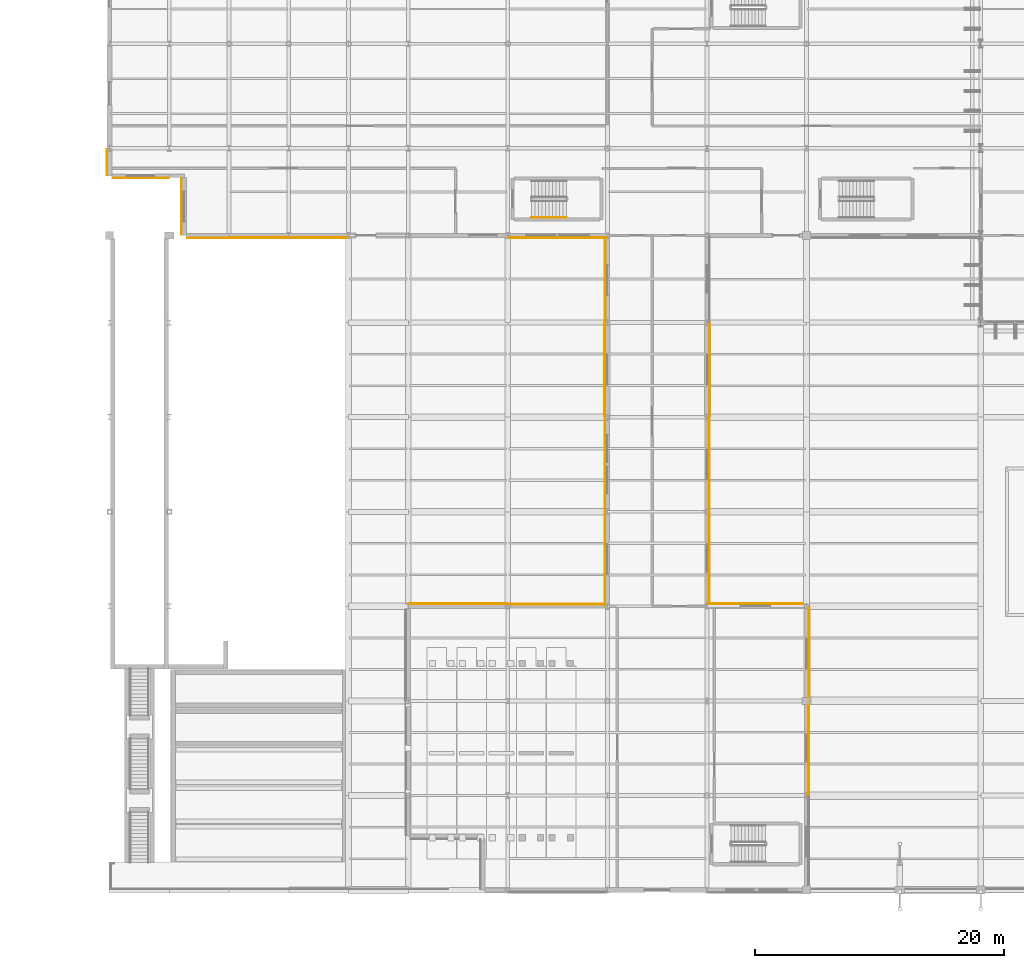
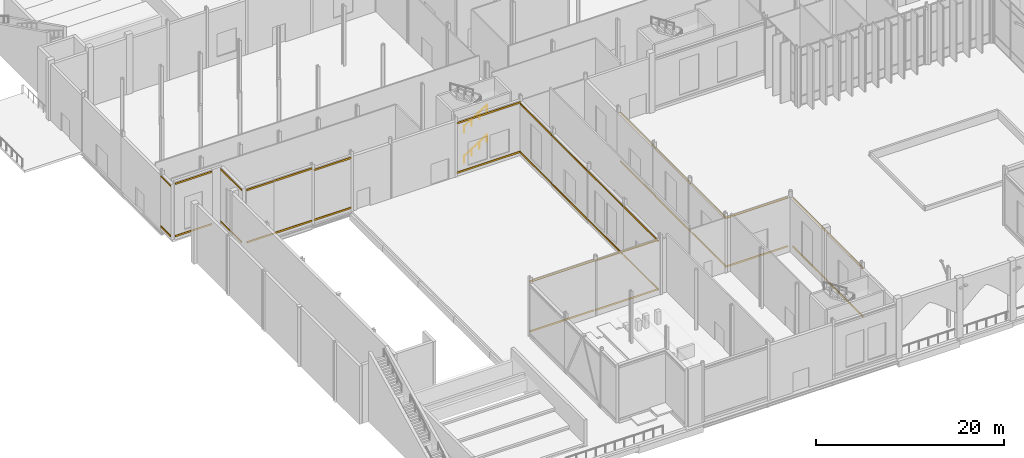
# One storey, part 155 of 176: 38 coverings, 2 railings.
"""IFC4 building model written with IfcOpenShell, lengths in metres."""

from ifc_helpers import new_model, si_unit, direction, frame, origin, origin_2d, place, context, subcontext, project, spatial, rectangle, circle, extrude, material, layer, layer_set, type_object, element, save


model = new_model("IFC4")

# Units and contexts
model_context = context("Model", 3, precision=1e-05, world=origin(), true_north=direction((0.0, 1.0)))
body_context = subcontext(model_context, "Body", "Model", "MODEL_VIEW")
ifc_project = project(units=[si_unit("LENGTHUNIT", "METRE"), si_unit("AREAUNIT", "SQUARE_METRE"), si_unit("VOLUMEUNIT", "CUBIC_METRE"), si_unit("PLANEANGLEUNIT", "RADIAN"), si_unit("MASSUNIT", "GRAM", prefix="KILO")], contexts=[model_context])

# Site, building, storey
site_placement = place(None, origin())
site = spatial("IfcSite", under=ifc_project, at=site_placement, CompositionType="ELEMENT")
building_placement = place(site_placement, origin())
building = spatial("IfcBuilding", under=site, at=building_placement, Name="Vekula Escarpment Museum", CompositionType="ELEMENT")
storey_placement = place(building_placement, origin())
storey = spatial("IfcBuildingStorey", under=building, at=storey_placement, Name="L01", CompositionType="ELEMENT", Elevation=0.0)

# Coverings
ifc_material_1 = material(Name="Polychrome limestone almasik string-course band", Category="masonry")
ifc_layer = layer(ifc_material_1, 0.06005859375)
ifc_layer_set = layer_set([ifc_layer], Name="Polychrome limestone almasik string-course band")
covering_type = type_object("IfcCoveringType", Name="COV-ALM-BAND", PredefinedType="CLADDING", material=ifc_layer_set)
for number, where, z_axis, x_axis, name in (
    (1, (-0.200927734375, 58.5, 0.41015625), (0.0, 0.0, 1.0), (0.0, 1.0, 0.0), "Almasik Stone String Course L01-0163"),
    (2, (-0.200927734375, 58.5, 6.94482421875), (0.0, 0.0, 1.0), (0.0, 1.0, 0.0), "Almasik Stone String Course L01-0164"),
):
    element("IfcCovering", number, at=place(storey_placement, frame(where, z_axis=z_axis, x_axis=x_axis)), inside=storey, type_object=covering_type, Name=name, PredefinedType="CLADDING", context=body_context, shape_type="SweptSolid", body=[
        extrude(rectangle(XDim=2.080078125, YDim=0.06005859375, at=origin_2d()), origin(), (0.0, 0.0, 1.0), 0.219970703125),
    ])
for number, where, z_axis, x_axis, name in (
    (3, (2.489501953125, 57.214111328125, 0.41015625), (0.0, 0.0, 1.0), (1.0, 0.0, 0.0), "Almasik Stone String Course L01-0165"),
    (4, (2.489501953125, 57.214111328125, 7.2099609375), (0.0, 0.0, 1.0), (1.0, 0.0, 0.0), "Almasik Stone String Course L01-0166"),
):
    element("IfcCovering", number, at=place(storey_placement, frame(where, z_axis=z_axis, x_axis=x_axis)), inside=storey, type_object=covering_type, Name=name, PredefinedType="CLADDING", context=body_context, shape_type="SweptSolid", body=[
        extrude(rectangle(XDim=4.5009765625, YDim=0.06005859375, at=origin_2d()), origin(), (0.0, 0.0, 1.0), 0.219970703125),
    ])
for number, where, z_axis, x_axis, name in (
    (5, (5.783935546875, 54.923095703125, 0.41015625), (0.0, 0.0, 1.0), (0.0, 1.0, 0.0), "Almasik Stone String Course L01-0167"),
    (6, (5.783935546875, 54.923095703125, 7.2099609375), (0.0, 0.0, 1.0), (0.0, 1.0, 0.0), "Almasik Stone String Course L01-0168"),
):
    element("IfcCovering", number, at=place(storey_placement, frame(where, z_axis=z_axis, x_axis=x_axis)), inside=storey, type_object=covering_type, Name=name, PredefinedType="CLADDING", context=body_context, shape_type="SweptSolid", body=[
        extrude(rectangle(XDim=4.52587890625, YDim=0.06005859375, at=origin_2d()), origin(), (0.0, 0.0, 1.0), 0.219970703125),
    ])
for number, where, z_axis, x_axis, name in (
    (7, (7.89697265625, 52.39892578125, 0.41015625), (0.0, 0.0, 1.0), (1.0, 0.0, 0.0), "Almasik Stone String Course L01-0169"),
    (8, (7.89697265625, 52.39892578125, 7.2099609375), (0.0, 0.0, 1.0), (1.0, 0.0, 0.0), "Almasik Stone String Course L01-0170"),
):
    element("IfcCovering", number, at=place(storey_placement, frame(where, z_axis=z_axis, x_axis=x_axis)), inside=storey, type_object=covering_type, Name=name, PredefinedType="CLADDING", context=body_context, shape_type="SweptSolid", body=[
        extrude(rectangle(XDim=3.285888671875, YDim=0.06005859375, at=origin_2d()), origin(), (0.0, 0.0, 1.0), 0.219970703125),
    ])
for number, where, z_axis, x_axis, name in (
    (9, (12.0, 52.4140625, 0.41015625), (0.0, 0.0, 1.0), (1.0, 0.0, 0.0), "Almasik Stone String Course L01-0171"),
    (10, (12.0, 52.4140625, 7.2099609375), (0.0, 0.0, 1.0), (1.0, 0.0, 0.0), "Almasik Stone String Course L01-0172"),
    (11, (16.800048828125, 52.424072265625, 0.41015625), (0.0, 0.0, 1.0), (1.0, 0.0, 0.0), "Almasik Stone String Course L01-0173"),
    (12, (16.800048828125, 52.424072265625, 6.89501953125), (0.0, 0.0, 1.0), (1.0, 0.0, 0.0), "Almasik Stone String Course L01-0174"),
):
    element("IfcCovering", number, at=place(storey_placement, frame(where, z_axis=z_axis, x_axis=x_axis)), inside=storey, type_object=covering_type, Name=name, PredefinedType="CLADDING", context=body_context, shape_type="SweptSolid", body=[
        extrude(rectangle(XDim=4.679931640625, YDim=0.06005859375, at=origin_2d()), origin(), (0.0, 0.0, 1.0), 0.219970703125),
    ])
for number, where, z_axis, x_axis, name in (
    (13, (36.0, 52.4140625, 0.41015625), (0.0, 0.0, 1.0), (1.0, 0.0, 0.0), "Almasik Stone String Course L01-0175"),
    (14, (36.0, 52.4140625, 6.8349609375), (0.0, 0.0, 1.0), (1.0, 0.0, 0.0), "Almasik Stone String Course L01-0176"),
):
    element("IfcCovering", number, at=place(storey_placement, frame(where, z_axis=z_axis, x_axis=x_axis)), inside=storey, type_object=covering_type, Name=name, PredefinedType="CLADDING", context=body_context, shape_type="SweptSolid", body=[
        extrude(rectangle(XDim=7.8798828125, YDim=0.06005859375, at=origin_2d()), origin(), (0.0, 0.0, 1.0), 0.219970703125),
    ])
for number, where, z_axis, x_axis, name in (
    (15, (39.823974609375, 49.01806640625, 0.41015625), (0.0, 0.0, 1.0), (0.0, 1.0, 0.0), "Almasik Stone String Course L01-0177"),
    (16, (39.823974609375, 49.01806640625, 6.69482421875), (0.0, 0.0, 1.0), (0.0, 1.0, 0.0), "Almasik Stone String Course L01-0178"),
):
    element("IfcCovering", number, at=place(storey_placement, frame(where, z_axis=z_axis, x_axis=x_axis)), inside=storey, type_object=covering_type, Name=name, PredefinedType="CLADDING", context=body_context, shape_type="SweptSolid", body=[
        extrude(rectangle(XDim=6.716064453125, YDim=0.06005859375, at=origin_2d()), origin(), (0.0, 0.0, 1.0), 0.219970703125),
    ])
for number, where, z_axis, x_axis, name in (
    (17, (39.783935546875, 41.800048828125, 0.41015625), (0.0, 0.0, 1.0), (0.0, 1.0, 0.0), "Almasik Stone String Course L01-0179"),
    (18, (39.783935546875, 41.800048828125, 6.69482421875), (0.0, 0.0, 1.0), (0.0, 1.0, 0.0), "Almasik Stone String Course L01-0180"),
    (19, (39.799072265625, 34.199951171875, 0.41015625), (0.0, 0.0, 1.0), (0.0, 1.0, 0.0), "Almasik Stone String Course L01-0181"),
    (20, (39.799072265625, 34.199951171875, 6.69482421875), (0.0, 0.0, 1.0), (0.0, 1.0, 0.0), "Almasik Stone String Course L01-0182"),
    (21, (39.81396484375, 26.60009765625, 0.41015625), (0.0, 0.0, 1.0), (0.0, 1.0, 0.0), "Almasik Stone String Course L01-0183"),
    (22, (39.81396484375, 26.60009765625, 6.69482421875), (0.0, 0.0, 1.0), (0.0, 1.0, 0.0), "Almasik Stone String Course L01-0184"),
):
    element("IfcCovering", number, at=place(storey_placement, frame(where, z_axis=z_axis, x_axis=x_axis)), inside=storey, type_object=covering_type, Name=name, PredefinedType="CLADDING", context=body_context, shape_type="SweptSolid", body=[
        extrude(rectangle(XDim=7.47998046875, YDim=0.06005859375, at=origin_2d()), origin(), (0.0, 0.0, 1.0), 0.219970703125),
    ])
for number, where, z_axis, x_axis, name in (
    (23, (35.91796875, 22.97607421875, 0.41015625), (0.0, 0.0, 1.0), (1.0, 0.0, 0.0), "Almasik Stone String Course L01-0185"),
    (24, (35.91796875, 22.97607421875, 6.8349609375), (0.0, 0.0, 1.0), (1.0, 0.0, 0.0), "Almasik Stone String Course L01-0186"),
):
    element("IfcCovering", number, at=place(storey_placement, frame(where, z_axis=z_axis, x_axis=x_axis)), inside=storey, type_object=covering_type, Name=name, PredefinedType="CLADDING", context=body_context, shape_type="SweptSolid", body=[
        extrude(rectangle(XDim=7.716064453125, YDim=0.06005859375, at=origin_2d()), origin(), (0.0, 0.0, 1.0), 0.219970703125),
    ])
for number, where, z_axis, x_axis, name in (
    (25, (28.0, 23.01611328125, 0.41015625), (0.0, 0.0, 1.0), (1.0, 0.0, 0.0), "Almasik Stone String Course L01-0187"),
    (26, (28.0, 23.01611328125, 6.89501953125), (0.0, 0.0, 1.0), (1.0, 0.0, 0.0), "Almasik Stone String Course L01-0188"),
):
    element("IfcCovering", number, at=place(storey_placement, frame(where, z_axis=z_axis, x_axis=x_axis)), inside=storey, type_object=covering_type, Name=name, PredefinedType="CLADDING", context=body_context, shape_type="SweptSolid", body=[
        extrude(rectangle(XDim=7.8798828125, YDim=0.06005859375, at=origin_2d()), origin(), (0.0, 0.0, 1.0), 0.219970703125),
    ])
for number, where, z_axis, x_axis, name in (
    (27, (56.176025390625, 11.39990234375, 0.41015625), (0.0, 0.0, 1.0), (0.0, 1.0, 0.0), "Almasik Stone String Course L01-0205"),
    (28, (56.176025390625, 11.39990234375, 6.69482421875), (0.0, 0.0, 1.0), (0.0, 1.0, 0.0), "Almasik Stone String Course L01-0206"),
    (29, (56.216064453125, 19.0, 0.41015625), (0.0, 0.0, 1.0), (0.0, 1.0, 0.0), "Almasik Stone String Course L01-0207"),
    (30, (56.216064453125, 19.0, 6.69482421875), (0.0, 0.0, 1.0), (0.0, 1.0, 0.0), "Almasik Stone String Course L01-0208"),
):
    element("IfcCovering", number, at=place(storey_placement, frame(where, z_axis=z_axis, x_axis=x_axis)), inside=storey, type_object=covering_type, Name=name, PredefinedType="CLADDING", context=body_context, shape_type="SweptSolid", body=[
        extrude(rectangle(XDim=7.47998046875, YDim=0.06005859375, at=origin_2d()), origin(), (0.0, 0.0, 1.0), 0.219970703125),
    ])
for number, where, z_axis, x_axis, name in (
    (31, (51.903076171875, 23.0009765625, 0.41015625), (0.0, 0.0, 1.0), (1.0, 0.0, 0.0), "Almasik Stone String Course L01-0209"),
    (32, (51.903076171875, 23.0009765625, 6.7451171875), (0.0, 0.0, 1.0), (1.0, 0.0, 0.0), "Almasik Stone String Course L01-0210"),
):
    element("IfcCovering", number, at=place(storey_placement, frame(where, z_axis=z_axis, x_axis=x_axis)), inside=storey, type_object=covering_type, Name=name, PredefinedType="CLADDING", context=body_context, shape_type="SweptSolid", body=[
        extrude(rectangle(XDim=7.68603515625, YDim=0.06005859375, at=origin_2d()), origin(), (0.0, 0.0, 1.0), 0.219970703125),
    ])
for number, where, z_axis, x_axis, name in (
    (33, (48.18603515625, 26.689453125, 0.41015625), (0.0, 0.0, 1.0), (0.0, 1.0, 0.0), "Almasik Stone String Course L01-0211"),
    (34, (48.18603515625, 26.689453125, 6.69482421875), (0.0, 0.0, 1.0), (0.0, 1.0, 0.0), "Almasik Stone String Course L01-0212"),
):
    element("IfcCovering", number, at=place(storey_placement, frame(where, z_axis=z_axis, x_axis=x_axis)), inside=storey, type_object=covering_type, Name=name, PredefinedType="CLADDING", context=body_context, shape_type="SweptSolid", body=[
        extrude(rectangle(XDim=7.301025390625, YDim=0.06005859375, at=origin_2d()), origin(), (0.0, 0.0, 1.0), 0.219970703125),
    ])
for number, where, z_axis, x_axis, name in (
    (35, (48.176025390625, 34.199951171875, 0.41015625), (0.0, 0.0, 1.0), (0.0, 1.0, 0.0), "Almasik Stone String Course L01-0213"),
    (36, (48.176025390625, 34.199951171875, 6.69482421875), (0.0, 0.0, 1.0), (0.0, 1.0, 0.0), "Almasik Stone String Course L01-0214"),
    (37, (48.216064453125, 41.800048828125, 0.41015625), (0.0, 0.0, 1.0), (0.0, 1.0, 0.0), "Almasik Stone String Course L01-0215"),
    (38, (48.216064453125, 41.800048828125, 6.69482421875), (0.0, 0.0, 1.0), (0.0, 1.0, 0.0), "Almasik Stone String Course L01-0216"),
):
    element("IfcCovering", number, at=place(storey_placement, frame(where, z_axis=z_axis, x_axis=x_axis)), inside=storey, type_object=covering_type, Name=name, PredefinedType="CLADDING", context=body_context, shape_type="SweptSolid", body=[
        extrude(rectangle(XDim=7.47998046875, YDim=0.06005859375, at=origin_2d()), origin(), (0.0, 0.0, 1.0), 0.219970703125),
    ])

# Railings
ifc_material_2 = material(Name="Brushed stainless steel handrail", Category="steel")
railing_type = type_object("IfcRailingType", Name="RL-STAIR-HAND", PredefinedType="HANDRAIL", material=ifc_material_2)
for number, where, name in (
    (39, (33.919921875, 54.050048828125, 0.17724609375), "L01 ST-04 stair handrail 1"),
    (40, (33.919921875, 54.050048828125, 4.077392578125), "L01 ST-04 stair handrail 3"),
):
    element("IfcRailing", number, at=place(storey_placement, frame(where)), inside=storey, type_object=railing_type, Name=name, PredefinedType="HANDRAIL", context=body_context, shape_type="SweptSolid", body=[
        extrude(circle(Radius=0.02392578125, at=origin_2d()), frame((0.0, 0.0, 0.8759765625), z_axis=(0.844908973607, 0.0, 0.534910110503), x_axis=(0.0, 1.0, 0.0)), (0.0, 0.0, 1.0), 3.31396484375),
        extrude(circle(Radius=0.02099609375, at=origin_2d()), origin(), (0.0, 0.0, 1.0), 0.851806640625),
        extrude(circle(Radius=0.02099609375, at=origin_2d()), frame((0.933349609375, 0.0, 0.5908203125)), (0.0, 0.0, 1.0), 0.851806640625),
        extrude(circle(Radius=0.02099609375, at=origin_2d()), frame((1.86669921875, 0.0, 1.181884765625)), (0.0, 0.0, 1.0), 0.851806640625),
        extrude(circle(Radius=0.02099609375, at=origin_2d()), frame((2.800048828125, 0.0, 1.772705078125)), (0.0, 0.0, 1.0), 0.851806640625),
    ])

save(model, "model.ifc")
